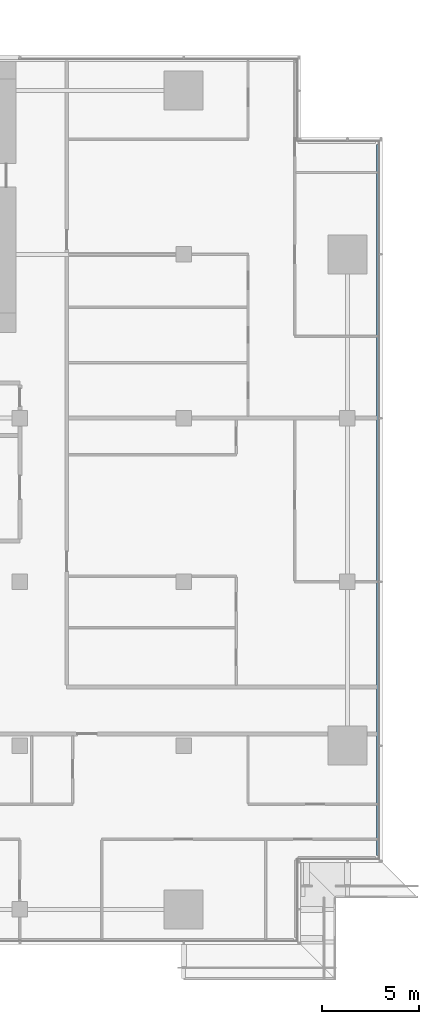
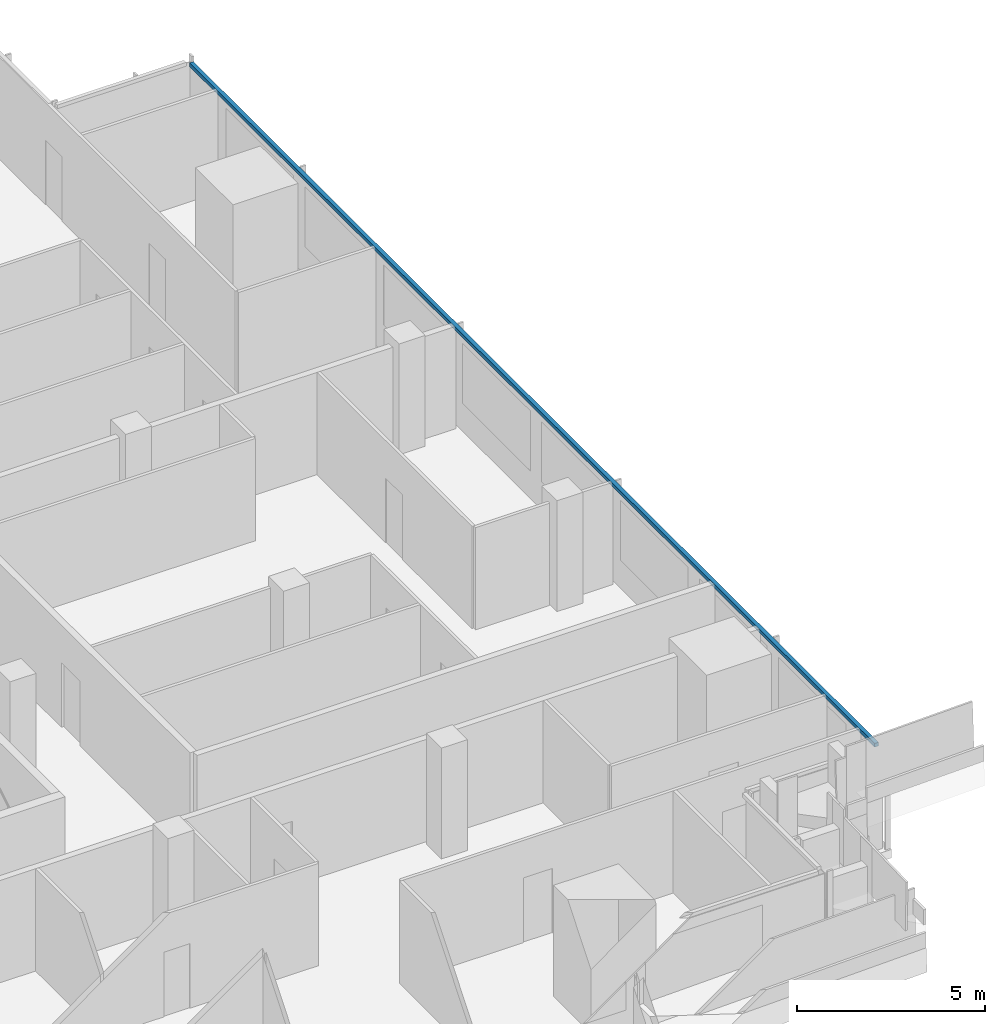
# One storey, part 14 of 30: 1 member, 1 element without a shape of its own.
"""IFC4 building model written with IfcOpenShell, lengths in metres."""

from ifc_helpers import new_model, si_unit, direction, frame, origin, origin_2d, place, context, subcontext, project, spatial, rectangle, extrude, material, material_profile, profile_set, type_object, element, aggregate, save


model = new_model("IFC4")

# Units and contexts
model_context = context("Model", 3, precision=1e-05, world=origin(), true_north=direction((0.0, 1.0)))
body_context = subcontext(model_context, "Body", "Model", "MODEL_VIEW")
ifc_project = project(units=[si_unit("LENGTHUNIT", "METRE"), si_unit("AREAUNIT", "SQUARE_METRE"), si_unit("VOLUMEUNIT", "CUBIC_METRE"), si_unit("PLANEANGLEUNIT", "RADIAN"), si_unit("MASSUNIT", "GRAM", prefix="KILO")], contexts=[model_context])

# Site, building, storey
site_placement = place(None, origin())
site = spatial("IfcSite", under=ifc_project, at=site_placement, CompositionType="ELEMENT")
building_placement = place(site_placement, origin())
building = spatial("IfcBuilding", under=site, at=building_placement, Name="Saffron Gate Tower", CompositionType="ELEMENT")
storey_placement = place(building_placement, frame((0.0, 0.0, 127.64990234375)))
storey = spatial("IfcBuildingStorey", under=building, at=storey_placement, Name="L30", CompositionType="ELEMENT", Elevation=127.64990234375)

# Curtain wall, member
ifc_material = material(Name="Aluminium, bronze anodised", Category="aluminium")
curtain_wall_type = type_object("IfcCurtainWallType", Name="CWS2 curtain wall side facades", PredefinedType="NOTDEFINED", material=ifc_material)
curtain_wall_placement = place(storey_placement, origin())
curtain_wall = element("IfcCurtainWall", 1, at=curtain_wall_placement, inside=storey, type_object=curtain_wall_type, Name="CWS2 run 4", PredefinedType="NOTDEFINED")
ifc_material_profile = material_profile(ifc_material, rectangle(XDim=0.1201171875, YDim=0.1201171875, at=origin_2d()))
ifc_profile_set = profile_set([ifc_material_profile], Name="Aluminium, bronze anodised")
member_type = type_object("IfcMemberType", Name="CWS2 head transom", PredefinedType="USERDEFINED", material=ifc_profile_set)
member_placement = place(storey_placement, frame((126.951904296875, 34.568115234375, 3.260009765625), z_axis=(0.0, 1.0, 0.0), x_axis=(-1.0, 0.0, 0.0)))
member = element("IfcMember", 2, at=member_placement, type_object=member_type, Name="CWS2 head transom", ObjectType="TRANSOM", PredefinedType="USERDEFINED", context=body_context, shape_type="SweptSolid", body=[
    extrude(rectangle(XDim=0.1201171875, YDim=0.1201171875, at=origin_2d()), origin(), (0.0, 0.0, 1.0), 36.4638671875),
])
aggregate(curtain_wall, [member])

save(model, "model.ifc")
